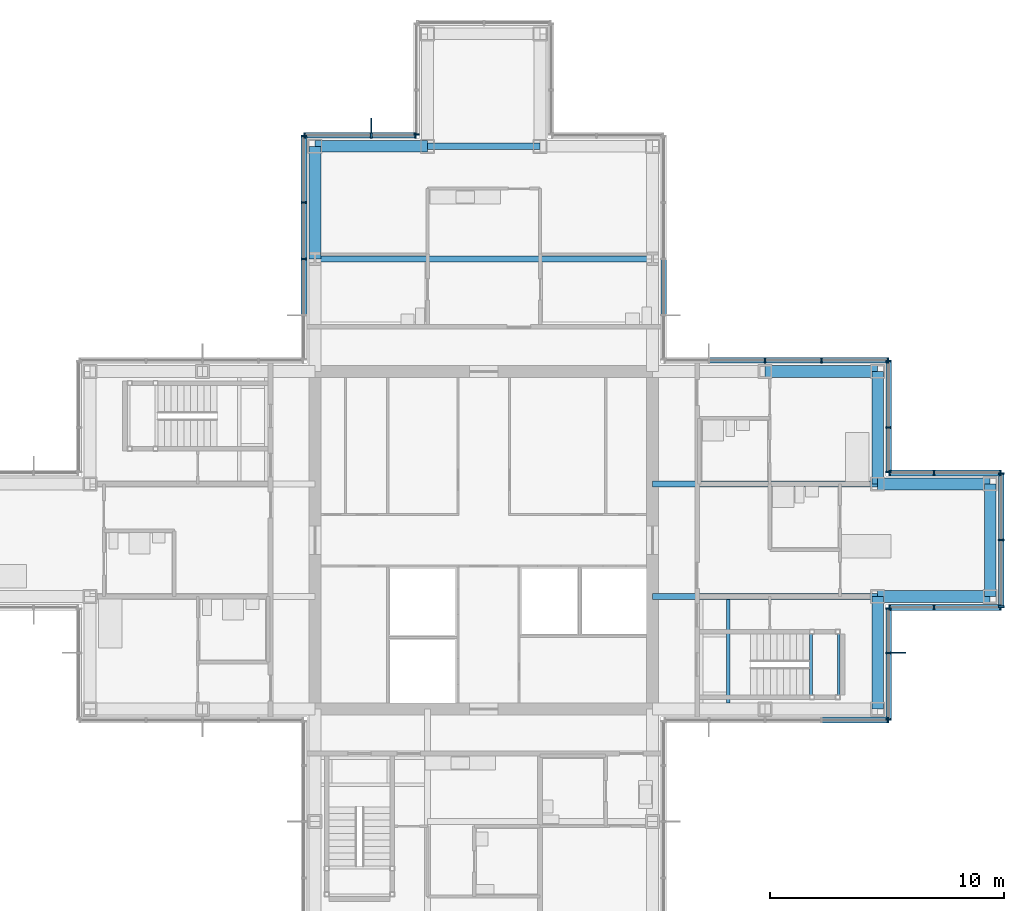
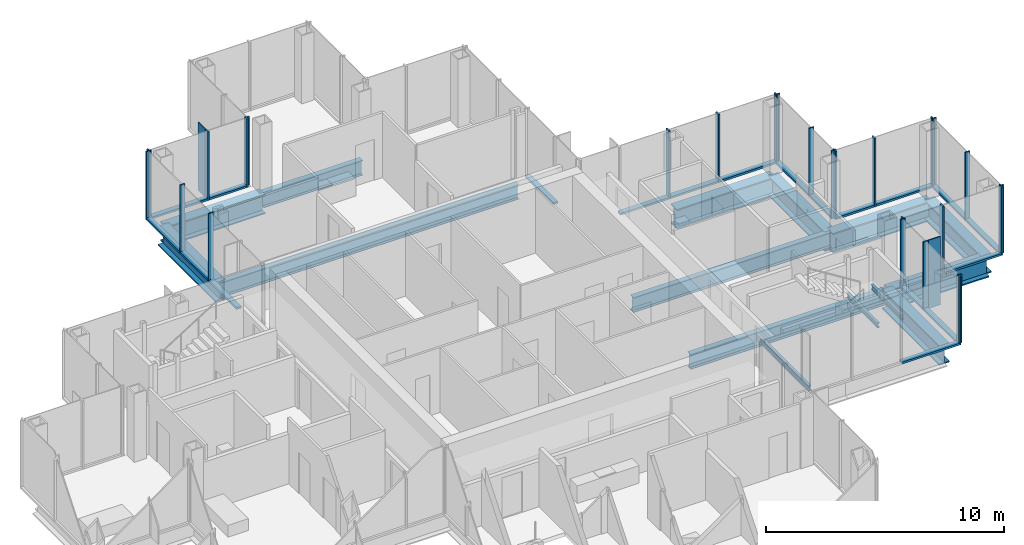
# One storey, part 8 of 17: 48 members, 15 beams, 11 elements without a shape of their own.
"""IFC4 building model written with IfcOpenShell, lengths in metres."""

from ifc_helpers import new_model, si_unit, direction, frame, origin, origin_2d, place, context, subcontext, project, spatial, rectangle, i_section, extrude, material, material_profile, profile_set, type_object, element, aggregate, save


model = new_model("IFC4")

# Units and contexts
model_context = context("Model", 3, precision=1e-05, world=origin(), true_north=direction((0.0, 1.0)))
body_context = subcontext(model_context, "Body", "Model", "MODEL_VIEW")
ifc_project = project(units=[si_unit("LENGTHUNIT", "METRE"), si_unit("AREAUNIT", "SQUARE_METRE"), si_unit("VOLUMEUNIT", "CUBIC_METRE"), si_unit("PLANEANGLEUNIT", "RADIAN"), si_unit("MASSUNIT", "GRAM", prefix="KILO")], contexts=[model_context])

# Site, building, storey
site_placement = place(None, origin())
site = spatial("IfcSite", under=ifc_project, at=site_placement, CompositionType="ELEMENT")
building_placement = place(site_placement, origin())
building = spatial("IfcBuilding", under=site, at=building_placement, Name="Kvirike Care Tower", CompositionType="ELEMENT")
storey_placement = place(building_placement, frame((0.0, 0.0, 162.0)))
storey = spatial("IfcBuildingStorey", under=building, at=storey_placement, Name="L44", CompositionType="ELEMENT", Elevation=162.0)

# Curtain wall, member
ifc_material_1 = material(Name="Anodised aluminium stick system", Category="aluminium")
curtain_wall_type = type_object("IfcCurtainWallType", Name="CW-C STICK CURTAIN WALL", PredefinedType="NOTDEFINED", material=ifc_material_1)
curtain_wall_1_placement = place(storey_placement, origin())
curtain_wall_1 = element("IfcCurtainWall", 1, at=curtain_wall_1_placement, inside=storey, type_object=curtain_wall_type, Name="Curtain wall L44 face 2", PredefinedType="NOTDEFINED")
ifc_material_2 = material(Name="Bronze anodised aluminium fin", Category="aluminium")
ifc_material_profile_1 = material_profile(ifc_material_2, rectangle(XDim=0.050048828125, YDim=0.60009765625, at=origin_2d()), Name="BRONZE FIN 600")
ifc_profile_set_1 = profile_set([ifc_material_profile_1], Name="Bronze anodised aluminium fin")
member_type_1 = type_object("IfcMemberType", Name="BRONZE FIN 600", PredefinedType="USERDEFINED", material=ifc_profile_set_1)
member_1_placement = place(storey_placement, frame((39.2900390625, 31.199951171875, 0.0), z_axis=(0.0, 0.0, 1.0), x_axis=(0.0, 1.0, 0.0)))
member_1 = element("IfcMember", 2, at=member_1_placement, type_object=member_type_1, Name="Bronze fin L44 face 2.2", ObjectType="FIN", PredefinedType="USERDEFINED", context=body_context, shape_type="SweptSolid", body=[
    extrude(rectangle(XDim=0.050048828125, YDim=0.60009765625, at=origin_2d()), origin(), (0.0, 0.0, 1.0), 3.5),
])

curtain_wall_2_placement = place(storey_placement, origin())
curtain_wall_2 = element("IfcCurtainWall", 3, at=curtain_wall_2_placement, inside=storey, type_object=curtain_wall_type, Name="Curtain wall L44 face 13", PredefinedType="NOTDEFINED")
member_2_placement = place(storey_placement, frame((16.800048828125, 53.68994140625, 0.0), z_axis=(0.0, 0.0, 1.0), x_axis=(-1.0, 0.0, 0.0)))
member_2 = element("IfcMember", 4, at=member_2_placement, type_object=member_type_1, Name="Bronze fin L44 face 13.2", ObjectType="FIN", PredefinedType="USERDEFINED", context=body_context, shape_type="SweptSolid", body=[
    extrude(rectangle(XDim=0.050048828125, YDim=0.60009765625, at=origin_2d()), origin(), (0.0, 0.0, 1.0), 3.5),
])

curtain_wall_3_placement = place(storey_placement, origin())
curtain_wall_3 = element("IfcCurtainWall", 5, at=curtain_wall_3_placement, inside=storey, type_object=curtain_wall_type, Name="Curtain wall L44 face 1", PredefinedType="NOTDEFINED")
ifc_material_3 = material(Name="Bronze anodised aluminium mullion", Category="aluminium")
ifc_material_profile_2 = material_profile(ifc_material_3, rectangle(XDim=0.06494140625, YDim=0.239990234375, at=origin_2d()), Name="CW-C MULLION 65x240")
ifc_profile_set_2 = profile_set([ifc_material_profile_2], Name="Bronze anodised aluminium mullion")
member_type_2 = type_object("IfcMemberType", Name="CW-C MULLION 65x240", PredefinedType="MULLION", material=ifc_profile_set_2)
member_3_placement = place(storey_placement, frame((38.83740234375, 28.330078125, 0.0), z_axis=(0.0, 0.0, 1.0), x_axis=(1.0, 0.0, 0.0)))
member_3 = element("IfcMember", 6, at=member_3_placement, type_object=member_type_2, Name="CW-C mullion L44 face 1.5", PredefinedType="MULLION", context=body_context, shape_type="SweptSolid", body=[
    extrude(rectangle(XDim=0.06494140625, YDim=0.239990234375, at=origin_2d()), origin(), (0.0, 0.0, 1.0), 3.5),
])

# Member
member_4_placement = place(storey_placement, frame((38.8701171875, 28.362548828125, 0.0), z_axis=(0.0, 0.0, 1.0), x_axis=(0.0, 1.0, 0.0)))
member_4 = element("IfcMember", 7, at=member_4_placement, type_object=member_type_2, Name="CW-C mullion L44 face 2.1", PredefinedType="MULLION", context=body_context, shape_type="SweptSolid", body=[
    extrude(rectangle(XDim=0.06494140625, YDim=0.239990234375, at=origin_2d()), origin(), (0.0, 0.0, 1.0), 3.5),
])

member_5_placement = place(storey_placement, frame((38.8701171875, 31.199951171875, 0.0), z_axis=(0.0, 0.0, 1.0), x_axis=(0.0, 1.0, 0.0)))
member_5 = element("IfcMember", 8, at=member_5_placement, type_object=member_type_2, Name="CW-C mullion L44 face 2.2", PredefinedType="MULLION", context=body_context, shape_type="SweptSolid", body=[
    extrude(rectangle(XDim=0.06494140625, YDim=0.239990234375, at=origin_2d()), origin(), (0.0, 0.0, 1.0), 3.5),
])

member_6_placement = place(storey_placement, frame((38.8701171875, 33.097412109375, 0.0), z_axis=(0.0, 0.0, 1.0), x_axis=(0.0, 1.0, 0.0)))
member_6 = element("IfcMember", 9, at=member_6_placement, type_object=member_type_2, Name="CW-C mullion L44 face 2.3", PredefinedType="MULLION", context=body_context, shape_type="SweptSolid", body=[
    extrude(rectangle(XDim=0.06494140625, YDim=0.239990234375, at=origin_2d()), origin(), (0.0, 0.0, 1.0), 3.5),
])

# Curtain wall, members
curtain_wall_4_placement = place(storey_placement, origin())
curtain_wall_4 = element("IfcCurtainWall", 10, at=curtain_wall_4_placement, inside=storey, type_object=curtain_wall_type, Name="Curtain wall L44 face 3", PredefinedType="NOTDEFINED")
member_7_placement = place(storey_placement, frame((38.902587890625, 33.1298828125, 0.0), z_axis=(0.0, 0.0, 1.0), x_axis=(1.0, 0.0, 0.0)))
member_7 = element("IfcMember", 11, at=member_7_placement, type_object=member_type_2, Name="CW-C mullion L44 face 3.1", PredefinedType="MULLION", context=body_context, shape_type="SweptSolid", body=[
    extrude(rectangle(XDim=0.06494140625, YDim=0.239990234375, at=origin_2d()), origin(), (0.0, 0.0, 1.0), 3.5),
])
member_8_placement = place(storey_placement, frame((40.800048828125, 33.1298828125, 0.0), z_axis=(0.0, 0.0, 1.0), x_axis=(1.0, 0.0, 0.0)))
member_8 = element("IfcMember", 12, at=member_8_placement, type_object=member_type_2, Name="CW-C mullion L44 face 3.2", PredefinedType="MULLION", context=body_context, shape_type="SweptSolid", body=[
    extrude(rectangle(XDim=0.06494140625, YDim=0.239990234375, at=origin_2d()), origin(), (0.0, 0.0, 1.0), 3.5),
])
member_9_placement = place(storey_placement, frame((43.637451171875, 33.1298828125, 0.0), z_axis=(0.0, 0.0, 1.0), x_axis=(1.0, 0.0, 0.0)))
member_9 = element("IfcMember", 13, at=member_9_placement, type_object=member_type_2, Name="CW-C mullion L44 face 3.3", PredefinedType="MULLION", context=body_context, shape_type="SweptSolid", body=[
    extrude(rectangle(XDim=0.06494140625, YDim=0.239990234375, at=origin_2d()), origin(), (0.0, 0.0, 1.0), 3.5),
])

curtain_wall_5_placement = place(storey_placement, origin())
curtain_wall_5 = element("IfcCurtainWall", 14, at=curtain_wall_5_placement, inside=storey, type_object=curtain_wall_type, Name="Curtain wall L44 face 4", PredefinedType="NOTDEFINED")
member_10_placement = place(storey_placement, frame((43.669921875, 33.16259765625, 0.0), z_axis=(0.0, 0.0, 1.0), x_axis=(0.0, 1.0, 0.0)))
member_10 = element("IfcMember", 15, at=member_10_placement, type_object=member_type_2, Name="CW-C mullion L44 face 4.1", PredefinedType="MULLION", context=body_context, shape_type="SweptSolid", body=[
    extrude(rectangle(XDim=0.06494140625, YDim=0.239990234375, at=origin_2d()), origin(), (0.0, 0.0, 1.0), 3.5),
])
member_11_placement = place(storey_placement, frame((43.669921875, 36.0, 0.0), z_axis=(0.0, 0.0, 1.0), x_axis=(0.0, 1.0, 0.0)))
member_11 = element("IfcMember", 16, at=member_11_placement, type_object=member_type_2, Name="CW-C mullion L44 face 4.2", PredefinedType="MULLION", context=body_context, shape_type="SweptSolid", body=[
    extrude(rectangle(XDim=0.06494140625, YDim=0.239990234375, at=origin_2d()), origin(), (0.0, 0.0, 1.0), 3.5),
])
member_12_placement = place(storey_placement, frame((43.669921875, 38.83740234375, 0.0), z_axis=(0.0, 0.0, 1.0), x_axis=(0.0, 1.0, 0.0)))
member_12 = element("IfcMember", 17, at=member_12_placement, type_object=member_type_2, Name="CW-C mullion L44 face 4.3", PredefinedType="MULLION", context=body_context, shape_type="SweptSolid", body=[
    extrude(rectangle(XDim=0.06494140625, YDim=0.239990234375, at=origin_2d()), origin(), (0.0, 0.0, 1.0), 3.5),
])

curtain_wall_6_placement = place(storey_placement, origin())
curtain_wall_6 = element("IfcCurtainWall", 18, at=curtain_wall_6_placement, inside=storey, type_object=curtain_wall_type, Name="Curtain wall L44 face 5", PredefinedType="NOTDEFINED")
member_13_placement = place(storey_placement, frame((43.637451171875, 38.8701171875, 0.0), z_axis=(0.0, 0.0, 1.0), x_axis=(-1.0, 0.0, 0.0)))
member_13 = element("IfcMember", 19, at=member_13_placement, type_object=member_type_2, Name="CW-C mullion L44 face 5.1", PredefinedType="MULLION", context=body_context, shape_type="SweptSolid", body=[
    extrude(rectangle(XDim=0.06494140625, YDim=0.239990234375, at=origin_2d()), origin(), (0.0, 0.0, 1.0), 3.5),
])
member_14_placement = place(storey_placement, frame((40.800048828125, 38.8701171875, 0.0), z_axis=(0.0, 0.0, 1.0), x_axis=(-1.0, 0.0, 0.0)))
member_14 = element("IfcMember", 20, at=member_14_placement, type_object=member_type_2, Name="CW-C mullion L44 face 5.2", PredefinedType="MULLION", context=body_context, shape_type="SweptSolid", body=[
    extrude(rectangle(XDim=0.06494140625, YDim=0.239990234375, at=origin_2d()), origin(), (0.0, 0.0, 1.0), 3.5),
])
member_15_placement = place(storey_placement, frame((38.902587890625, 38.8701171875, 0.0), z_axis=(0.0, 0.0, 1.0), x_axis=(-1.0, 0.0, 0.0)))
member_15 = element("IfcMember", 21, at=member_15_placement, type_object=member_type_2, Name="CW-C mullion L44 face 5.3", PredefinedType="MULLION", context=body_context, shape_type="SweptSolid", body=[
    extrude(rectangle(XDim=0.06494140625, YDim=0.239990234375, at=origin_2d()), origin(), (0.0, 0.0, 1.0), 3.5),
])

curtain_wall_7_placement = place(storey_placement, origin())
curtain_wall_7 = element("IfcCurtainWall", 22, at=curtain_wall_7_placement, inside=storey, type_object=curtain_wall_type, Name="Curtain wall L44 face 6", PredefinedType="NOTDEFINED")
member_16_placement = place(storey_placement, frame((38.8701171875, 38.902587890625, 0.0), z_axis=(0.0, 0.0, 1.0), x_axis=(0.0, 1.0, 0.0)))
member_16 = element("IfcMember", 23, at=member_16_placement, type_object=member_type_2, Name="CW-C mullion L44 face 6.1", PredefinedType="MULLION", context=body_context, shape_type="SweptSolid", body=[
    extrude(rectangle(XDim=0.06494140625, YDim=0.239990234375, at=origin_2d()), origin(), (0.0, 0.0, 1.0), 3.5),
])
member_17_placement = place(storey_placement, frame((38.8701171875, 40.800048828125, 0.0), z_axis=(0.0, 0.0, 1.0), x_axis=(0.0, 1.0, 0.0)))
member_17 = element("IfcMember", 24, at=member_17_placement, type_object=member_type_2, Name="CW-C mullion L44 face 6.2", PredefinedType="MULLION", context=body_context, shape_type="SweptSolid", body=[
    extrude(rectangle(XDim=0.06494140625, YDim=0.239990234375, at=origin_2d()), origin(), (0.0, 0.0, 1.0), 3.5),
])
member_18_placement = place(storey_placement, frame((38.8701171875, 43.637451171875, 0.0), z_axis=(0.0, 0.0, 1.0), x_axis=(0.0, 1.0, 0.0)))
member_18 = element("IfcMember", 25, at=member_18_placement, type_object=member_type_2, Name="CW-C mullion L44 face 6.3", PredefinedType="MULLION", context=body_context, shape_type="SweptSolid", body=[
    extrude(rectangle(XDim=0.06494140625, YDim=0.239990234375, at=origin_2d()), origin(), (0.0, 0.0, 1.0), 3.5),
])

curtain_wall_8_placement = place(storey_placement, origin())
curtain_wall_8 = element("IfcCurtainWall", 26, at=curtain_wall_8_placement, inside=storey, type_object=curtain_wall_type, Name="Curtain wall L44 face 7", PredefinedType="NOTDEFINED")
member_19_placement = place(storey_placement, frame((38.83740234375, 43.669921875, 0.0), z_axis=(0.0, 0.0, 1.0), x_axis=(-1.0, 0.0, 0.0)))
member_19 = element("IfcMember", 27, at=member_19_placement, type_object=member_type_2, Name="CW-C mullion L44 face 7.1", PredefinedType="MULLION", context=body_context, shape_type="SweptSolid", body=[
    extrude(rectangle(XDim=0.06494140625, YDim=0.239990234375, at=origin_2d()), origin(), (0.0, 0.0, 1.0), 3.5),
])
member_20_placement = place(storey_placement, frame((36.0, 43.669921875, 0.0), z_axis=(0.0, 0.0, 1.0), x_axis=(-1.0, 0.0, 0.0)))
member_20 = element("IfcMember", 28, at=member_20_placement, type_object=member_type_2, Name="CW-C mullion L44 face 7.2", PredefinedType="MULLION", context=body_context, shape_type="SweptSolid", body=[
    extrude(rectangle(XDim=0.06494140625, YDim=0.239990234375, at=origin_2d()), origin(), (0.0, 0.0, 1.0), 3.5),
])
member_21_placement = place(storey_placement, frame((33.60009765625, 43.669921875, 0.0), z_axis=(0.0, 0.0, 1.0), x_axis=(-1.0, 0.0, 0.0)))
member_21 = element("IfcMember", 29, at=member_21_placement, type_object=member_type_2, Name="CW-C mullion L44 face 7.3", PredefinedType="MULLION", context=body_context, shape_type="SweptSolid", body=[
    extrude(rectangle(XDim=0.06494140625, YDim=0.239990234375, at=origin_2d()), origin(), (0.0, 0.0, 1.0), 3.5),
])

# Curtain wall, member
curtain_wall_9_placement = place(storey_placement, origin())
curtain_wall_9 = element("IfcCurtainWall", 30, at=curtain_wall_9_placement, inside=storey, type_object=curtain_wall_type, Name="Curtain wall L44 face 12", PredefinedType="NOTDEFINED")
member_22_placement = place(storey_placement, frame((18.72998046875, 53.302490234375, 0.0), z_axis=(0.0, 0.0, 1.0), x_axis=(0.0, -1.0, 0.0)))
member_22 = element("IfcMember", 31, at=member_22_placement, type_object=member_type_2, Name="CW-C mullion L44 face 12.3", PredefinedType="MULLION", context=body_context, shape_type="SweptSolid", body=[
    extrude(rectangle(XDim=0.06494140625, YDim=0.239990234375, at=origin_2d()), origin(), (0.0, 0.0, 1.0), 3.5),
])
aggregate(curtain_wall_9, [member_22])

# Member
member_23_placement = place(storey_placement, frame((18.697509765625, 53.27001953125, 0.0), z_axis=(0.0, 0.0, 1.0), x_axis=(-1.0, 0.0, 0.0)))
member_23 = element("IfcMember", 32, at=member_23_placement, type_object=member_type_2, Name="CW-C mullion L44 face 13.1", PredefinedType="MULLION", context=body_context, shape_type="SweptSolid", body=[
    extrude(rectangle(XDim=0.06494140625, YDim=0.239990234375, at=origin_2d()), origin(), (0.0, 0.0, 1.0), 3.5),
])

member_24_placement = place(storey_placement, frame((16.800048828125, 53.27001953125, 0.0), z_axis=(0.0, 0.0, 1.0), x_axis=(-1.0, 0.0, 0.0)))
member_24 = element("IfcMember", 33, at=member_24_placement, type_object=member_type_2, Name="CW-C mullion L44 face 13.2", PredefinedType="MULLION", context=body_context, shape_type="SweptSolid", body=[
    extrude(rectangle(XDim=0.06494140625, YDim=0.239990234375, at=origin_2d()), origin(), (0.0, 0.0, 1.0), 3.5),
])

member_25_placement = place(storey_placement, frame((13.96240234375, 53.27001953125, 0.0), z_axis=(0.0, 0.0, 1.0), x_axis=(-1.0, 0.0, 0.0)))
member_25 = element("IfcMember", 34, at=member_25_placement, type_object=member_type_2, Name="CW-C mullion L44 face 13.3", PredefinedType="MULLION", context=body_context, shape_type="SweptSolid", body=[
    extrude(rectangle(XDim=0.06494140625, YDim=0.239990234375, at=origin_2d()), origin(), (0.0, 0.0, 1.0), 3.5),
])

# Curtain wall, members
curtain_wall_10_placement = place(storey_placement, origin())
curtain_wall_10 = element("IfcCurtainWall", 35, at=curtain_wall_10_placement, inside=storey, type_object=curtain_wall_type, Name="Curtain wall L44 face 14", PredefinedType="NOTDEFINED")
member_26_placement = place(storey_placement, frame((13.929931640625, 53.237548828125, 0.0), z_axis=(0.0, 0.0, 1.0), x_axis=(0.0, -1.0, 0.0)))
member_26 = element("IfcMember", 36, at=member_26_placement, type_object=member_type_2, Name="CW-C mullion L44 face 14.1", PredefinedType="MULLION", context=body_context, shape_type="SweptSolid", body=[
    extrude(rectangle(XDim=0.06494140625, YDim=0.239990234375, at=origin_2d()), origin(), (0.0, 0.0, 1.0), 3.5),
])
member_27_placement = place(storey_placement, frame((13.929931640625, 50.39990234375, 0.0), z_axis=(0.0, 0.0, 1.0), x_axis=(0.0, -1.0, 0.0)))
member_27 = element("IfcMember", 37, at=member_27_placement, type_object=member_type_2, Name="CW-C mullion L44 face 14.2", PredefinedType="MULLION", context=body_context, shape_type="SweptSolid", body=[
    extrude(rectangle(XDim=0.06494140625, YDim=0.239990234375, at=origin_2d()), origin(), (0.0, 0.0, 1.0), 3.5),
])
member_28_placement = place(storey_placement, frame((13.929931640625, 48.0, 0.0), z_axis=(0.0, 0.0, 1.0), x_axis=(0.0, -1.0, 0.0)))
member_28 = element("IfcMember", 38, at=member_28_placement, type_object=member_type_2, Name="CW-C mullion L44 face 14.3", PredefinedType="MULLION", context=body_context, shape_type="SweptSolid", body=[
    extrude(rectangle(XDim=0.06494140625, YDim=0.239990234375, at=origin_2d()), origin(), (0.0, 0.0, 1.0), 3.5),
])

# Member
ifc_material_4 = material(Name="Bronze anodised aluminium transom", Category="aluminium")
ifc_material_profile_3 = material_profile(ifc_material_4, rectangle(XDim=0.239990234375, YDim=0.10009765625, at=origin_2d()), Name="CW-C TRANSOM 240x100")
ifc_profile_set_3 = profile_set([ifc_material_profile_3], Name="Bronze anodised aluminium transom")
member_type_3 = type_object("IfcMemberType", Name="CW-C TRANSOM 240x100", PredefinedType="USERDEFINED", material=ifc_profile_set_3)
member_29_placement = place(storey_placement, frame((36.032470703125, 28.330078125, 0.050048828125), z_axis=(1.0, 0.0, 0.0), x_axis=(0.0, 1.0, 0.0)))
member_29 = element("IfcMember", 39, at=member_29_placement, type_object=member_type_3, Name="CW-C sill transom L44 face 1.4", ObjectType="TRANSOM", PredefinedType="USERDEFINED", context=body_context, shape_type="SweptSolid", body=[
    extrude(rectangle(XDim=0.239990234375, YDim=0.10009765625, at=origin_2d()), origin(), (0.0, 0.0, 1.0), 2.7724609375),
])

aggregate(curtain_wall_3, [member_3, member_29])

member_30_placement = place(storey_placement, frame((38.8701171875, 28.39501953125, 0.050048828125), z_axis=(0.0, 1.0, 0.0), x_axis=(-1.0, 0.0, 0.0)))
member_30 = element("IfcMember", 40, at=member_30_placement, type_object=member_type_3, Name="CW-C sill transom L44 face 2.1", ObjectType="TRANSOM", PredefinedType="USERDEFINED", context=body_context, shape_type="SweptSolid", body=[
    extrude(rectangle(XDim=0.239990234375, YDim=0.10009765625, at=origin_2d()), origin(), (0.0, 0.0, 1.0), 2.7724609375),
])

member_31_placement = place(storey_placement, frame((38.8701171875, 31.232421875, 0.050048828125), z_axis=(0.0, 1.0, 0.0), x_axis=(-1.0, 0.0, 0.0)))
member_31 = element("IfcMember", 41, at=member_31_placement, type_object=member_type_3, Name="CW-C sill transom L44 face 2.2", ObjectType="TRANSOM", PredefinedType="USERDEFINED", context=body_context, shape_type="SweptSolid", body=[
    extrude(rectangle(XDim=0.239990234375, YDim=0.10009765625, at=origin_2d()), origin(), (0.0, 0.0, 1.0), 1.83251953125),
])

aggregate(curtain_wall_1, [member_4, member_5, member_1, member_6, member_30, member_31])

member_32_placement = place(storey_placement, frame((38.93505859375, 33.1298828125, 0.050048828125), z_axis=(1.0, 0.0, 0.0), x_axis=(0.0, 1.0, 0.0)))
member_32 = element("IfcMember", 42, at=member_32_placement, type_object=member_type_3, Name="CW-C sill transom L44 face 3.1", ObjectType="TRANSOM", PredefinedType="USERDEFINED", context=body_context, shape_type="SweptSolid", body=[
    extrude(rectangle(XDim=0.239990234375, YDim=0.10009765625, at=origin_2d()), origin(), (0.0, 0.0, 1.0), 1.83251953125),
])

member_33_placement = place(storey_placement, frame((40.83251953125, 33.1298828125, 0.050048828125), z_axis=(1.0, 0.0, 0.0), x_axis=(0.0, 1.0, 0.0)))
member_33 = element("IfcMember", 43, at=member_33_placement, type_object=member_type_3, Name="CW-C sill transom L44 face 3.2", ObjectType="TRANSOM", PredefinedType="USERDEFINED", context=body_context, shape_type="SweptSolid", body=[
    extrude(rectangle(XDim=0.239990234375, YDim=0.10009765625, at=origin_2d()), origin(), (0.0, 0.0, 1.0), 2.7724609375),
])

aggregate(curtain_wall_4, [member_7, member_8, member_9, member_32, member_33])

member_34_placement = place(storey_placement, frame((43.669921875, 33.195068359375, 0.050048828125), z_axis=(0.0, 1.0, 0.0), x_axis=(-1.0, 0.0, 0.0)))
member_34 = element("IfcMember", 44, at=member_34_placement, type_object=member_type_3, Name="CW-C sill transom L44 face 4.1", ObjectType="TRANSOM", PredefinedType="USERDEFINED", context=body_context, shape_type="SweptSolid", body=[
    extrude(rectangle(XDim=0.239990234375, YDim=0.10009765625, at=origin_2d()), origin(), (0.0, 0.0, 1.0), 2.7724609375),
])

member_35_placement = place(storey_placement, frame((43.669921875, 36.032470703125, 0.050048828125), z_axis=(0.0, 1.0, 0.0), x_axis=(-1.0, 0.0, 0.0)))
member_35 = element("IfcMember", 45, at=member_35_placement, type_object=member_type_3, Name="CW-C sill transom L44 face 4.2", ObjectType="TRANSOM", PredefinedType="USERDEFINED", context=body_context, shape_type="SweptSolid", body=[
    extrude(rectangle(XDim=0.239990234375, YDim=0.10009765625, at=origin_2d()), origin(), (0.0, 0.0, 1.0), 2.7724609375),
])

aggregate(curtain_wall_5, [member_10, member_11, member_12, member_34, member_35])

member_36_placement = place(storey_placement, frame((43.60498046875, 38.8701171875, 0.050048828125), z_axis=(-1.0, 0.0, 0.0), x_axis=(0.0, -1.0, 0.0)))
member_36 = element("IfcMember", 46, at=member_36_placement, type_object=member_type_3, Name="CW-C sill transom L44 face 5.1", ObjectType="TRANSOM", PredefinedType="USERDEFINED", context=body_context, shape_type="SweptSolid", body=[
    extrude(rectangle(XDim=0.239990234375, YDim=0.10009765625, at=origin_2d()), origin(), (0.0, 0.0, 1.0), 2.7724609375),
])

member_37_placement = place(storey_placement, frame((40.767578125, 38.8701171875, 0.050048828125), z_axis=(-1.0, 0.0, 0.0), x_axis=(0.0, -1.0, 0.0)))
member_37 = element("IfcMember", 47, at=member_37_placement, type_object=member_type_3, Name="CW-C sill transom L44 face 5.2", ObjectType="TRANSOM", PredefinedType="USERDEFINED", context=body_context, shape_type="SweptSolid", body=[
    extrude(rectangle(XDim=0.239990234375, YDim=0.10009765625, at=origin_2d()), origin(), (0.0, 0.0, 1.0), 1.83251953125),
])

aggregate(curtain_wall_6, [member_13, member_14, member_15, member_36, member_37])

member_38_placement = place(storey_placement, frame((38.8701171875, 38.93505859375, 0.050048828125), z_axis=(0.0, 1.0, 0.0), x_axis=(-1.0, 0.0, 0.0)))
member_38 = element("IfcMember", 48, at=member_38_placement, type_object=member_type_3, Name="CW-C sill transom L44 face 6.1", ObjectType="TRANSOM", PredefinedType="USERDEFINED", context=body_context, shape_type="SweptSolid", body=[
    extrude(rectangle(XDim=0.239990234375, YDim=0.10009765625, at=origin_2d()), origin(), (0.0, 0.0, 1.0), 1.83251953125),
])

member_39_placement = place(storey_placement, frame((38.8701171875, 40.83251953125, 0.050048828125), z_axis=(0.0, 1.0, 0.0), x_axis=(-1.0, 0.0, 0.0)))
member_39 = element("IfcMember", 49, at=member_39_placement, type_object=member_type_3, Name="CW-C sill transom L44 face 6.2", ObjectType="TRANSOM", PredefinedType="USERDEFINED", context=body_context, shape_type="SweptSolid", body=[
    extrude(rectangle(XDim=0.239990234375, YDim=0.10009765625, at=origin_2d()), origin(), (0.0, 0.0, 1.0), 2.7724609375),
])

aggregate(curtain_wall_7, [member_16, member_17, member_18, member_38, member_39])

member_40_placement = place(storey_placement, frame((38.804931640625, 43.669921875, 0.050048828125), z_axis=(-1.0, 0.0, 0.0), x_axis=(0.0, -1.0, 0.0)))
member_40 = element("IfcMember", 50, at=member_40_placement, type_object=member_type_3, Name="CW-C sill transom L44 face 7.1", ObjectType="TRANSOM", PredefinedType="USERDEFINED", context=body_context, shape_type="SweptSolid", body=[
    extrude(rectangle(XDim=0.239990234375, YDim=0.10009765625, at=origin_2d()), origin(), (0.0, 0.0, 1.0), 2.7724609375),
])

member_41_placement = place(storey_placement, frame((35.967529296875, 43.669921875, 0.050048828125), z_axis=(-1.0, 0.0, 0.0), x_axis=(0.0, -1.0, 0.0)))
member_41 = element("IfcMember", 51, at=member_41_placement, type_object=member_type_3, Name="CW-C sill transom L44 face 7.2", ObjectType="TRANSOM", PredefinedType="USERDEFINED", context=body_context, shape_type="SweptSolid", body=[
    extrude(rectangle(XDim=0.239990234375, YDim=0.10009765625, at=origin_2d()), origin(), (0.0, 0.0, 1.0), 2.3349609375),
])

member_42_placement = place(storey_placement, frame((33.5673828125, 43.669921875, 0.050048828125), z_axis=(-1.0, 0.0, 0.0), x_axis=(0.0, -1.0, 0.0)))
member_42 = element("IfcMember", 52, at=member_42_placement, type_object=member_type_3, Name="CW-C sill transom L44 face 7.3", ObjectType="TRANSOM", PredefinedType="USERDEFINED", context=body_context, shape_type="SweptSolid", body=[
    extrude(rectangle(XDim=0.239990234375, YDim=0.10009765625, at=origin_2d()), origin(), (0.0, 0.0, 1.0), 2.3349609375),
])

aggregate(curtain_wall_8, [member_19, member_20, member_21, member_40, member_41, member_42])

# Curtain wall, member
curtain_wall_11_placement = place(storey_placement, origin())
curtain_wall_11 = element("IfcCurtainWall", 53, at=curtain_wall_11_placement, inside=storey, type_object=curtain_wall_type, Name="Curtain wall L44 face 8", PredefinedType="NOTDEFINED")
member_43_placement = place(storey_placement, frame((29.27001953125, 45.632568359375, 0.050048828125), z_axis=(0.0, 1.0, 0.0), x_axis=(-1.0, 0.0, 0.0)))
member_43 = element("IfcMember", 54, at=member_43_placement, type_object=member_type_3, Name="CW-C sill transom L44 face 8.2", ObjectType="TRANSOM", PredefinedType="USERDEFINED", context=body_context, shape_type="SweptSolid", body=[
    extrude(rectangle(XDim=0.239990234375, YDim=0.10009765625, at=origin_2d()), origin(), (0.0, 0.0, 1.0), 2.3349609375),
])
aggregate(curtain_wall_11, [member_43])

# Member
member_44_placement = place(storey_placement, frame((18.6650390625, 53.27001953125, 0.050048828125), z_axis=(-1.0, 0.0, 0.0), x_axis=(0.0, -1.0, 0.0)))
member_44 = element("IfcMember", 55, at=member_44_placement, type_object=member_type_3, Name="CW-C sill transom L44 face 13.1", ObjectType="TRANSOM", PredefinedType="USERDEFINED", context=body_context, shape_type="SweptSolid", body=[
    extrude(rectangle(XDim=0.239990234375, YDim=0.10009765625, at=origin_2d()), origin(), (0.0, 0.0, 1.0), 1.83251953125),
])

member_45_placement = place(storey_placement, frame((16.767578125, 53.27001953125, 0.050048828125), z_axis=(-1.0, 0.0, 0.0), x_axis=(0.0, -1.0, 0.0)))
member_45 = element("IfcMember", 56, at=member_45_placement, type_object=member_type_3, Name="CW-C sill transom L44 face 13.2", ObjectType="TRANSOM", PredefinedType="USERDEFINED", context=body_context, shape_type="SweptSolid", body=[
    extrude(rectangle(XDim=0.239990234375, YDim=0.10009765625, at=origin_2d()), origin(), (0.0, 0.0, 1.0), 2.7724609375),
])

aggregate(curtain_wall_2, [member_23, member_24, member_2, member_25, member_44, member_45])

member_46_placement = place(storey_placement, frame((13.929931640625, 53.205078125, 0.050048828125), z_axis=(0.0, -1.0, 0.0), x_axis=(1.0, 0.0, 0.0)))
member_46 = element("IfcMember", 57, at=member_46_placement, type_object=member_type_3, Name="CW-C sill transom L44 face 14.1", ObjectType="TRANSOM", PredefinedType="USERDEFINED", context=body_context, shape_type="SweptSolid", body=[
    extrude(rectangle(XDim=0.239990234375, YDim=0.10009765625, at=origin_2d()), origin(), (0.0, 0.0, 1.0), 2.7724609375),
])

member_47_placement = place(storey_placement, frame((13.929931640625, 50.367431640625, 0.050048828125), z_axis=(0.0, -1.0, 0.0), x_axis=(1.0, 0.0, 0.0)))
member_47 = element("IfcMember", 58, at=member_47_placement, type_object=member_type_3, Name="CW-C sill transom L44 face 14.2", ObjectType="TRANSOM", PredefinedType="USERDEFINED", context=body_context, shape_type="SweptSolid", body=[
    extrude(rectangle(XDim=0.239990234375, YDim=0.10009765625, at=origin_2d()), origin(), (0.0, 0.0, 1.0), 2.3349609375),
])

member_48_placement = place(storey_placement, frame((13.929931640625, 47.967529296875, 0.050048828125), z_axis=(0.0, -1.0, 0.0), x_axis=(1.0, 0.0, 0.0)))
member_48 = element("IfcMember", 59, at=member_48_placement, type_object=member_type_3, Name="CW-C sill transom L44 face 14.3", ObjectType="TRANSOM", PredefinedType="USERDEFINED", context=body_context, shape_type="SweptSolid", body=[
    extrude(rectangle(XDim=0.239990234375, YDim=0.10009765625, at=origin_2d()), origin(), (0.0, 0.0, 1.0), 2.3349609375),
])

aggregate(curtain_wall_10, [member_26, member_27, member_28, member_46, member_47, member_48])

# Beams
ifc_material_5 = material(Name="Steel S355", Category="steel")
ifc_material_profile_4 = material_profile(ifc_material_5, i_section(OverallWidth=0.26806640625, OverallDepth=0.77001953125, WebThickness=0.015625, FlangeThickness=0.025390625, FilletRadius=0.01708984375, at=origin_2d()), Name="IPE 750x196")
ifc_profile_set_4 = profile_set([ifc_material_profile_4], Name="Steel S355")
beam_type_1 = type_object("IfcBeamType", Name="FLOOR BEAM IPE 750x196", PredefinedType="BEAM", material=ifc_profile_set_4)
for number, where, z_axis, x_axis, name in (
    (60, (28.800048828125, 33.60009765625, -0.554931640625), (1.0, 0.0, 0.0), (0.0, 1.0, 0.0), "Floor Beam H9-H11 L44"),
    (61, (28.800048828125, 38.39990234375, -0.554931640625), (1.0, 0.0, 0.0), (0.0, 1.0, 0.0), "Floor Beam J9-J11 L44"),
):
    element("IfcBeam", number, at=place(storey_placement, frame(where, z_axis=z_axis, x_axis=x_axis)), inside=storey, type_object=beam_type_1, Name=name, PredefinedType="BEAM", context=body_context, shape_type="SweptSolid", body=[
        extrude(i_section(OverallWidth=0.26806640625, OverallDepth=0.77001953125, WebThickness=0.015625, FlangeThickness=0.025390625, FilletRadius=0.01708984375, at=origin_2d()), origin(), (0.0, 0.0, 1.0), 9.599853515625),
    ])
beam_1_placement = place(storey_placement, frame((14.39990234375, 48.0, -0.554931640625), z_axis=(1.0, 0.0, 0.0), x_axis=(0.0, 1.0, 0.0)))
element("IfcBeam", 62, at=beam_1_placement, inside=storey, type_object=beam_type_1, Name="Floor Beam L6-L9 L44", PredefinedType="BEAM", context=body_context, shape_type="SweptSolid", body=[
    extrude(i_section(OverallWidth=0.26806640625, OverallDepth=0.77001953125, WebThickness=0.015625, FlangeThickness=0.025390625, FilletRadius=0.01708984375, at=origin_2d()), origin(), (0.0, 0.0, 1.0), 14.400146484375),
])
beam_2_placement = place(storey_placement, frame((19.199951171875, 52.800048828125, -0.554931640625), z_axis=(1.0, 0.0, 0.0), x_axis=(0.0, 1.0, 0.0)))
element("IfcBeam", 63, at=beam_2_placement, inside=storey, type_object=beam_type_1, Name="Floor Beam M7-M8 L44", PredefinedType="BEAM", context=body_context, shape_type="SweptSolid", body=[
    extrude(i_section(OverallWidth=0.26806640625, OverallDepth=0.77001953125, WebThickness=0.015625, FlangeThickness=0.025390625, FilletRadius=0.01708984375, at=origin_2d()), origin(), (0.0, 0.0, 1.0), 4.800048828125),
])
ifc_material_6 = material(Name="Steel S355", Category="steel")
ifc_material_profile_5 = material_profile(ifc_material_6, i_section(OverallWidth=0.5, OverallDepth=1.0, WebThickness=0.030029296875, FlangeThickness=0.06005859375, at=origin_2d()), Name="PG 1000x500x30x60")
ifc_profile_set_5 = profile_set([ifc_material_profile_5], Name="Steel S355")
beam_type_2 = type_object("IfcBeamType", Name="SPANDREL PG 1000x500x30x60", PredefinedType="SPANDREL", material=ifc_profile_set_5)
for number, where, z_axis, x_axis, name in (
    (64, (38.39990234375, 33.60009765625, -0.669921875), (1.0, 0.0, 0.0), (0.0, 1.0, 0.0), "Spandrel H11-H12 L44"),
    (65, (38.39990234375, 38.39990234375, -0.669921875), (1.0, 0.0, 0.0), (0.0, 1.0, 0.0), "Spandrel J11-J12 L44"),
):
    element("IfcBeam", number, at=place(storey_placement, frame(where, z_axis=z_axis, x_axis=x_axis)), inside=storey, type_object=beam_type_2, Name=name, PredefinedType="SPANDREL", context=body_context, shape_type="SweptSolid", body=[
        extrude(i_section(OverallWidth=0.5, OverallDepth=1.0, WebThickness=0.030029296875, FlangeThickness=0.06005859375, at=origin_2d()), origin(), (0.0, 0.0, 1.0), 4.800048828125),
    ])
beam_3_placement = place(storey_placement, frame((33.60009765625, 43.199951171875, -0.669921875), z_axis=(1.0, 0.0, 0.0), x_axis=(0.0, 1.0, 0.0)))
element("IfcBeam", 66, at=beam_3_placement, inside=storey, type_object=beam_type_2, Name="Spandrel K10-K11 L44", PredefinedType="SPANDREL", context=body_context, shape_type="SweptSolid", body=[
    extrude(i_section(OverallWidth=0.5, OverallDepth=1.0, WebThickness=0.030029296875, FlangeThickness=0.06005859375, at=origin_2d()), origin(), (0.0, 0.0, 1.0), 4.7998046875),
])
for number, where, z_axis, x_axis, name in (
    (67, (14.39990234375, 52.800048828125, -0.669921875), (1.0, 0.0, 0.0), (0.0, 1.0, 0.0), "Spandrel M6-M7 L44"),
    (68, (14.39990234375, 48.0, -0.669921875), (0.0, 1.0, 0.0), (-1.0, 0.0, 0.0), "Spandrel L6-M6 L44"),
    (69, (38.39990234375, 28.800048828125, -0.669921875), (0.0, 1.0, 0.0), (-1.0, 0.0, 0.0), "Spandrel G11-H11 L44"),
    (70, (38.39990234375, 38.39990234375, -0.669921875), (0.0, 1.0, 0.0), (-1.0, 0.0, 0.0), "Spandrel J11-K11 L44"),
):
    element("IfcBeam", number, at=place(storey_placement, frame(where, z_axis=z_axis, x_axis=x_axis)), inside=storey, type_object=beam_type_2, Name=name, PredefinedType="SPANDREL", context=body_context, shape_type="SweptSolid", body=[
        extrude(i_section(OverallWidth=0.5, OverallDepth=1.0, WebThickness=0.030029296875, FlangeThickness=0.06005859375, at=origin_2d()), origin(), (0.0, 0.0, 1.0), 4.800048828125),
    ])
beam_4_placement = place(storey_placement, frame((43.199951171875, 33.60009765625, -0.669921875), z_axis=(0.0, 1.0, 0.0), x_axis=(-1.0, 0.0, 0.0)))
element("IfcBeam", 71, at=beam_4_placement, inside=storey, type_object=beam_type_2, Name="Spandrel H12-J12 L44", PredefinedType="SPANDREL", context=body_context, shape_type="SweptSolid", body=[
    extrude(i_section(OverallWidth=0.5, OverallDepth=1.0, WebThickness=0.030029296875, FlangeThickness=0.06005859375, at=origin_2d()), origin(), (0.0, 0.0, 1.0), 4.7998046875),
])
ifc_material_7 = material(Name="Steel S355", Category="steel")
ifc_material_profile_6 = material_profile(ifc_material_7, i_section(OverallWidth=0.1201171875, OverallDepth=0.239990234375, WebThickness=0.006103515625, FlangeThickness=0.009765625, FilletRadius=0.014892578125, at=origin_2d()), Name="IPE 240")
ifc_profile_set_6 = profile_set([ifc_material_profile_6], Name="Steel S355")
beam_type_3 = type_object("IfcBeamType", Name="STAIR LANDING BEAM IPE 240", PredefinedType="BEAM", material=ifc_profile_set_6)
for number, where, z_axis, x_axis, name in (
    (72, (36.739990234375, 29.39990234375, 1.429931640625), (0.0, 1.0, 0.0), (-1.0, 0.0, 0.0), "Stair 2 landing beam back L44"),
    (73, (35.56005859375, 29.39990234375, 1.429931640625), (0.0, 1.0, 0.0), (-1.0, 0.0, 0.0), "Stair 2 landing beam front L44"),
):
    element("IfcBeam", number, at=place(storey_placement, frame(where, z_axis=z_axis, x_axis=x_axis)), inside=storey, type_object=beam_type_3, Name=name, PredefinedType="BEAM", context=body_context, shape_type="SweptSolid", body=[
        extrude(i_section(OverallWidth=0.1201171875, OverallDepth=0.239990234375, WebThickness=0.006103515625, FlangeThickness=0.009765625, FilletRadius=0.014892578125, at=origin_2d()), origin(), (0.0, 0.0, 1.0), 2.60009765625),
    ])
ifc_material_8 = material(Name="Steel S355", Category="steel")
ifc_material_profile_7 = material_profile(ifc_material_8, i_section(OverallWidth=0.14990234375, OverallDepth=0.300048828125, WebThickness=0.007080078125, FlangeThickness=0.0107421875, FilletRadius=0.014892578125, at=origin_2d()), Name="IPE 300")
ifc_profile_set_7 = profile_set([ifc_material_profile_7], Name="Steel S355")
beam_type_4 = type_object("IfcBeamType", Name="STAIR TRIMMER IPE 300", PredefinedType="BEAM", material=ifc_profile_set_7)
beam_5_placement = place(storey_placement, frame((32.02490234375, 29.050048828125, -0.35009765625), z_axis=(0.0, 1.0, 0.0), x_axis=(-1.0, 0.0, 0.0)))
element("IfcBeam", 74, at=beam_5_placement, inside=storey, type_object=beam_type_4, Name="Stair 2 trimmer 1 L44", PredefinedType="BEAM", context=body_context, shape_type="SweptSolid", body=[
    extrude(i_section(OverallWidth=0.14990234375, OverallDepth=0.300048828125, WebThickness=0.007080078125, FlangeThickness=0.0107421875, FilletRadius=0.014892578125, at=origin_2d()), origin(), (0.0, 0.0, 1.0), 4.416015625),
])

save(model, "model.ifc")
